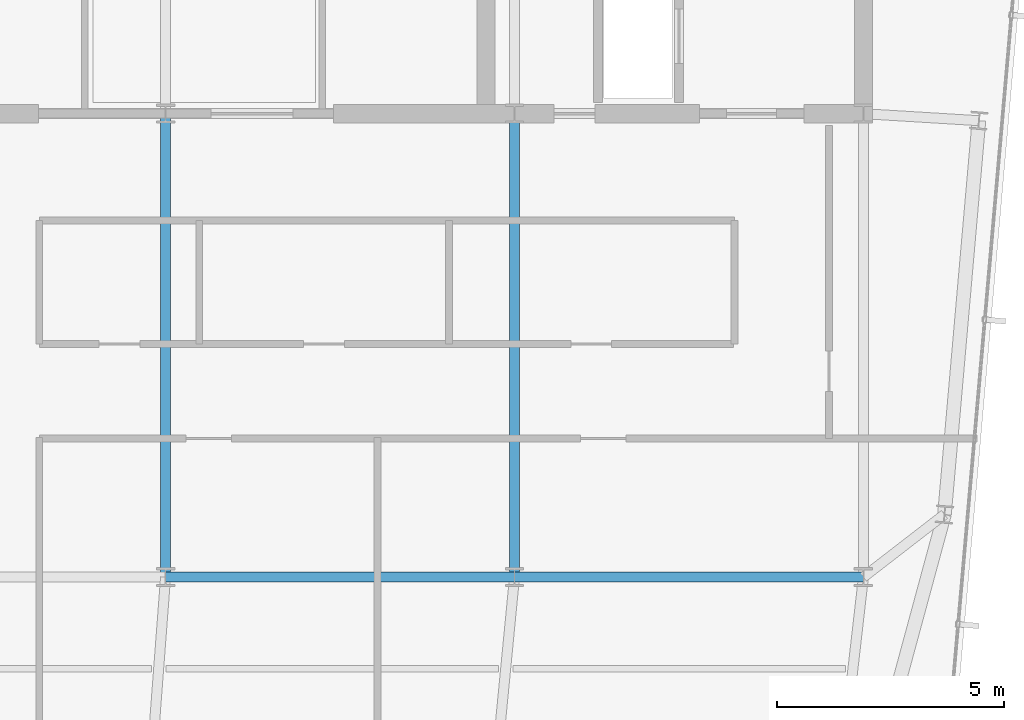
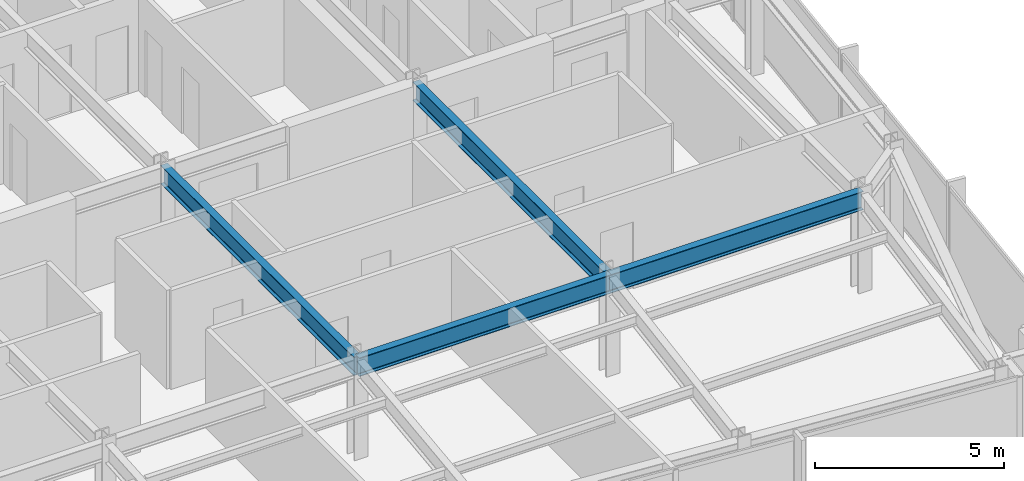
# One storey, part 15 of 32: 4 beams.
"""IFC4 building model written with IfcOpenShell, lengths in metres."""

import ifcopenshell
import ifcopenshell.guid

model = None  # the IFC model being written
_history = None  # IfcOwnerHistory: only IFC2X3 demands one
_inside = {}  # id of a spatial element -> (the spatial element, [elements in it])
_under = {}  # id of a project, library or spatial element -> (it, [spatial elements below it])
_declared = {}  # id of a project -> (the project, [libraries it declares])
_typed = {}  # id of a type object -> (the type object, [elements of that type])
_made_of = {}  # id of a material, layer set ... -> (it, [elements and type objects made of it])


def new_model(schema):
    """Start an empty IFC model of exactly this schema.

    Asked for "IFC4X3", IfcOpenShell would pick the latest addendum, in which some entities
    have other attributes; the version numbers below select the first issue.
    IFC2X3 requires an IfcOwnerHistory on every rooted entity: one is made here for all.
    """
    global model, _history
    if schema == "IFC4X3":
        model = ifcopenshell.file(schema_version=(4, 3, 0, 0))
    else:
        model = ifcopenshell.file(schema=schema)
    _inside.clear()
    _under.clear()
    _declared.clear()
    _typed.clear()
    _made_of.clear()
    _history = None
    if model.schema == "IFC2X3":
        org = make("IfcOrganization", Name="unknown")
        user = make(
            "IfcPersonAndOrganization",
            ThePerson=make("IfcPerson", FamilyName="unknown"),
            TheOrganization=org,
        )
        app = make(
            "IfcApplication",
            ApplicationDeveloper=org,
            Version="unknown",
            ApplicationFullName="unknown",
            ApplicationIdentifier="unknown",
        )
        _history = make(
            "IfcOwnerHistory",
            OwningUser=user,
            OwningApplication=app,
            ChangeAction="ADDED",
            CreationDate=0,
        )
    return model


def make(cls, **values):
    """One entity of the class cls with the attributes given. An attribute that is None is left unset."""
    return model.create_entity(
        cls, **{name: value for name, value in values.items() if value is not None}
    )


def rooted(cls, **values):
    """An entity with a GlobalId (a new one), such as an element, a storey or a relation."""
    return make(cls, GlobalId=ifcopenshell.guid.new(), OwnerHistory=_history, **values)


def si_unit(unit_type, name, prefix=None):
    """IfcSIUnit, for example si_unit("LENGTHUNIT", "METRE", prefix="MILLI")."""
    return make("IfcSIUnit", UnitType=unit_type, Prefix=prefix, Name=name)


def assignment(units):
    """IfcUnitAssignment: the units of a project."""
    return None if units is None else make("IfcUnitAssignment", Units=units)


def point(xyz):
    """IfcCartesianPoint."""
    return None if xyz is None else make("IfcCartesianPoint", Coordinates=xyz)


def direction(xyz):
    """IfcDirection."""
    return None if xyz is None else make("IfcDirection", DirectionRatios=xyz)


def frame(location, z_axis=None, x_axis=None):
    """IfcAxis2Placement3D, a coordinate frame: its origin and axes. An axis left out is left unset."""
    return make(
        "IfcAxis2Placement3D",
        Location=point(location),
        Axis=direction(z_axis),
        RefDirection=direction(x_axis),
    )


def frame_2d(location, x_axis=None):
    """IfcAxis2Placement2D, a coordinate frame in the plane: its origin and x axis."""
    return make(
        "IfcAxis2Placement2D", Location=point(location), RefDirection=direction(x_axis)
    )


def origin():
    """The frame at (0, 0, 0) with its axes left unset."""
    return frame((0.0, 0.0, 0.0))


def origin_2d():
    """The frame at (0, 0) in the plane with its x axis left unset."""
    return frame_2d((0.0, 0.0))


def place(relative_to, where):
    """IfcLocalPlacement: puts the frame where relative to a parent placement (None: the world)."""
    return make(
        "IfcLocalPlacement", PlacementRelTo=relative_to, RelativePlacement=where
    )


def context(
    kind, dimensions, precision=None, world=None, true_north=None, identifier=None
):
    """IfcGeometricRepresentationContext, for example the 3D "Model" context."""
    return make(
        "IfcGeometricRepresentationContext",
        ContextIdentifier=identifier,
        ContextType=kind,
        CoordinateSpaceDimension=dimensions,
        Precision=precision,
        WorldCoordinateSystem=world,
        TrueNorth=true_north,
    )


def subcontext(parent, identifier, kind, view, scale=None):
    """IfcGeometricRepresentationSubContext, for example "Body" below "Model"."""
    return make(
        "IfcGeometricRepresentationSubContext",
        ContextIdentifier=identifier,
        ContextType=kind,
        ParentContext=parent,
        TargetScale=scale,
        TargetView=view,
    )


def project(units=None, contexts=None):
    """IfcProject with its units and contexts."""
    return rooted(
        "IfcProject",
        Name="project",
        RepresentationContexts=contexts,
        UnitsInContext=assignment(units),
    )


def spatial(cls, under=None, at=None, **own):
    """A site, building, storey or space (cls), placed at a placement, below another one or the project."""
    s = rooted(cls, ObjectPlacement=at, **own)
    if under is not None:
        _under.setdefault(under.id(), (under, []))[1].append(s)
    return s


def profile(cls, at=None, kind="AREA", **sizes):
    """A parametric profile (cls). Its sizes go by their IFC names, for example OverallWidth=200.0."""
    return make(cls, ProfileType=kind, Position=at, **sizes)


def i_section(**sizes):
    """IfcIShapeProfileDef."""
    return profile("IfcIShapeProfileDef", **sizes)


def extrude(swept, where, along, depth):
    """IfcExtrudedAreaSolid: the profile swept, set in the frame where, extruded along a direction by depth."""
    return make(
        "IfcExtrudedAreaSolid",
        SweptArea=swept,
        Position=where,
        ExtrudedDirection=direction(along),
        Depth=depth,
    )


def shape(context_of_items, identifier, shape_type, items):
    """IfcShapeRepresentation: the items that make up one representation, for example the "Body"."""
    return make(
        "IfcShapeRepresentation",
        ContextOfItems=context_of_items,
        RepresentationIdentifier=identifier,
        RepresentationType=shape_type,
        Items=items,
    )


def material(Name=None, Category=None):
    """IfcMaterial."""
    return make("IfcMaterial", Name=Name, Category=Category)


def material_profile(
    of_material, cross_section, Name=None, Category=None, Priority=None
):
    """IfcMaterialProfile: a cross section and its material."""
    return make(
        "IfcMaterialProfile",
        Name=Name,
        Material=of_material,
        Profile=cross_section,
        Priority=Priority,
        Category=Category,
    )


def profile_set(profiles, Name=None, composite=None):
    """IfcMaterialProfileSet."""
    return make(
        "IfcMaterialProfileSet",
        Name=Name,
        MaterialProfiles=profiles,
        CompositeProfile=composite,
    )


def made_of(thing, what):
    """Note that an element or type object is made of a material, layer set ...; save() writes the relation."""
    if what is not None:
        _made_of.setdefault(what.id(), (what, []))[1].append(thing)
    return thing


def type_object(cls, material=None, **own):
    """A type object (cls), such as IfcWallType, which elements share."""
    return made_of(rooted(cls, **own), material)


def element(
    cls,
    number,
    at=None,
    inside=None,
    cuts=None,
    type_object=None,
    material=None,
    context=None,
    identifier="Body",
    shape_type=None,
    held_by="IfcProductDefinitionShape",
    body=None,
    shapes=None,
    **own,
):
    """One element of the class cls, such as IfcWall. Its Tag is "e" and its number.

    at: its placement. inside: the storey or other place that contains it. cuts: it is an
    opening in that element (IfcRelVoidsElement). A single representation is given by context,
    identifier, shape_type and body (its items); several are given by shapes. held_by: the class
    of the entity that holds the representations. save() writes the other relations.
    """
    e = rooted(cls, Tag="e%d" % number, ObjectPlacement=at, **own)
    if body is not None:
        shapes = [shape(context, identifier, shape_type, body)]
    if shapes is not None:
        e.Representation = make(held_by, Representations=shapes)
    if inside is not None:
        _inside.setdefault(inside.id(), (inside, []))[1].append(e)
    if cuts is not None:
        rooted(
            "IfcRelVoidsElement", RelatingBuildingElement=cuts, RelatedOpeningElement=e
        )
    if type_object is not None:
        _typed.setdefault(type_object.id(), (type_object, []))[1].append(e)
    return made_of(e, material)


def aggregate(whole, parts):
    """IfcRelAggregates: a whole, such as a stair, and the parts it consists of."""
    return rooted("IfcRelAggregates", RelatingObject=whole, RelatedObjects=parts)


def save(model, path):
    """Write the relations noted so far, then the file.

    IfcRelAggregates (storeys below a building ...), IfcRelContainedInSpatialStructure (elements
    in a storey), IfcRelDefinesByType, IfcRelAssociatesMaterial and IfcRelDeclares: one each for
    every whole, place, type object, material and project.
    """
    for whole, parts in _under.values():
        aggregate(whole, parts)
    for where, things in _inside.values():
        rooted(
            "IfcRelContainedInSpatialStructure",
            RelatedElements=things,
            RelatingStructure=where,
        )
    for kind, things in _typed.values():
        rooted("IfcRelDefinesByType", RelatedObjects=things, RelatingType=kind)
    for what, things in _made_of.values():
        rooted("IfcRelAssociatesMaterial", RelatedObjects=things, RelatingMaterial=what)
    for by, libraries in _declared.values():
        rooted("IfcRelDeclares", RelatingContext=by, RelatedDefinitions=libraries)
    model.write(path)


model = new_model("IFC4")

# Units and contexts
model_context = context("Model", 3, precision=1e-05, world=origin(), true_north=direction((0.0, 1.0)))
body_context = subcontext(model_context, "Body", "Model", "MODEL_VIEW")
ifc_project = project(units=[si_unit("LENGTHUNIT", "METRE"), si_unit("AREAUNIT", "SQUARE_METRE"), si_unit("VOLUMEUNIT", "CUBIC_METRE"), si_unit("PLANEANGLEUNIT", "RADIAN"), si_unit("MASSUNIT", "GRAM", prefix="KILO")], contexts=[model_context])

# Site, building, storey
site_placement = place(None, origin())
site = spatial("IfcSite", under=ifc_project, at=site_placement, CompositionType="ELEMENT")
building_placement = place(site_placement, origin())
building = spatial("IfcBuilding", under=site, at=building_placement, Name="Yelkora Congress Tower", CompositionType="ELEMENT")
storey_placement = place(building_placement, frame((0.0, 0.0, 265.89990234375)))
storey = spatial("IfcBuildingStorey", under=building, at=storey_placement, Name="L74", CompositionType="ELEMENT", Elevation=265.89990234375)

# Beams
ifc_material = material(Name="Steel S355J2", Category="steel")
ifc_material_profile = material_profile(ifc_material, i_section(OverallWidth=0.219970703125, OverallDepth=0.60009765625, WebThickness=0.011962890625, FlangeThickness=0.01904296875, FilletRadius=0.02392578125, at=origin_2d()), Name="IPE 600")
ifc_profile_set = profile_set([ifc_material_profile], Name="Steel S355J2")
beam_type = type_object("IfcBeamType", Name="BM-GIRD-IPE600", PredefinedType="BEAM", material=ifc_profile_set)
beam_1_placement = place(storey_placement, frame((38.39990234375, 25.199951171875, 2.880126953125), z_axis=(1.0, 0.0, 0.0), x_axis=(0.0, 1.0, 0.0)))
element("IfcBeam", 1, at=beam_1_placement, inside=storey, type_object=beam_type, Name="L74 Spine Grid D Girder 3", PredefinedType="BEAM", context=body_context, shape_type="SweptSolid", body=[
    extrude(i_section(OverallWidth=0.219970703125, OverallDepth=0.60009765625, WebThickness=0.011962890625, FlangeThickness=0.01904296875, FilletRadius=0.02392578125, at=origin_2d()), origin(), (0.0, 0.0, 1.0), 7.68017578125),
])
beam_2_placement = place(storey_placement, frame((46.080078125, 25.199951171875, 2.880126953125), z_axis=(1.0, 0.0, 0.0), x_axis=(0.0, 1.0, 0.0)))
element("IfcBeam", 2, at=beam_2_placement, inside=storey, type_object=beam_type, Name="L74 Spine Grid D Girder 4", PredefinedType="BEAM", context=body_context, shape_type="SweptSolid", body=[
    extrude(i_section(OverallWidth=0.219970703125, OverallDepth=0.60009765625, WebThickness=0.011962890625, FlangeThickness=0.01904296875, FilletRadius=0.02392578125, at=origin_2d()), origin(), (0.0, 0.0, 1.0), 7.679931640625),
])
for number, where, z_axis, x_axis, name in (
    (3, (38.39990234375, 25.199951171875, 2.880126953125), (0.0, 1.0, 0.0), (-1.0, 0.0, 0.0), "L74 Core Tie Girder MC-D3"),
    (4, (46.080078125, 25.199951171875, 2.880126953125), (0.0, 1.0, 0.0), (-1.0, 0.0, 0.0), "L74 Core Tie Girder MC-D4"),
):
    element("IfcBeam", number, at=place(storey_placement, frame(where, z_axis=z_axis, x_axis=x_axis)), inside=storey, type_object=beam_type, Name=name, PredefinedType="BEAM", context=body_context, shape_type="SweptSolid", body=[
        extrude(i_section(OverallWidth=0.219970703125, OverallDepth=0.60009765625, WebThickness=0.011962890625, FlangeThickness=0.01904296875, FilletRadius=0.02392578125, at=origin_2d()), origin(), (0.0, 0.0, 1.0), 10.199951171875),
    ])

save(model, "model.ifc")
